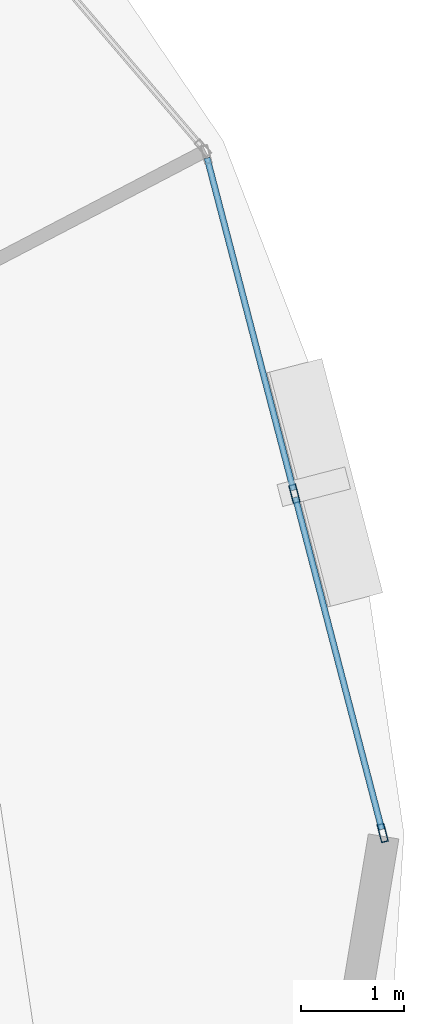
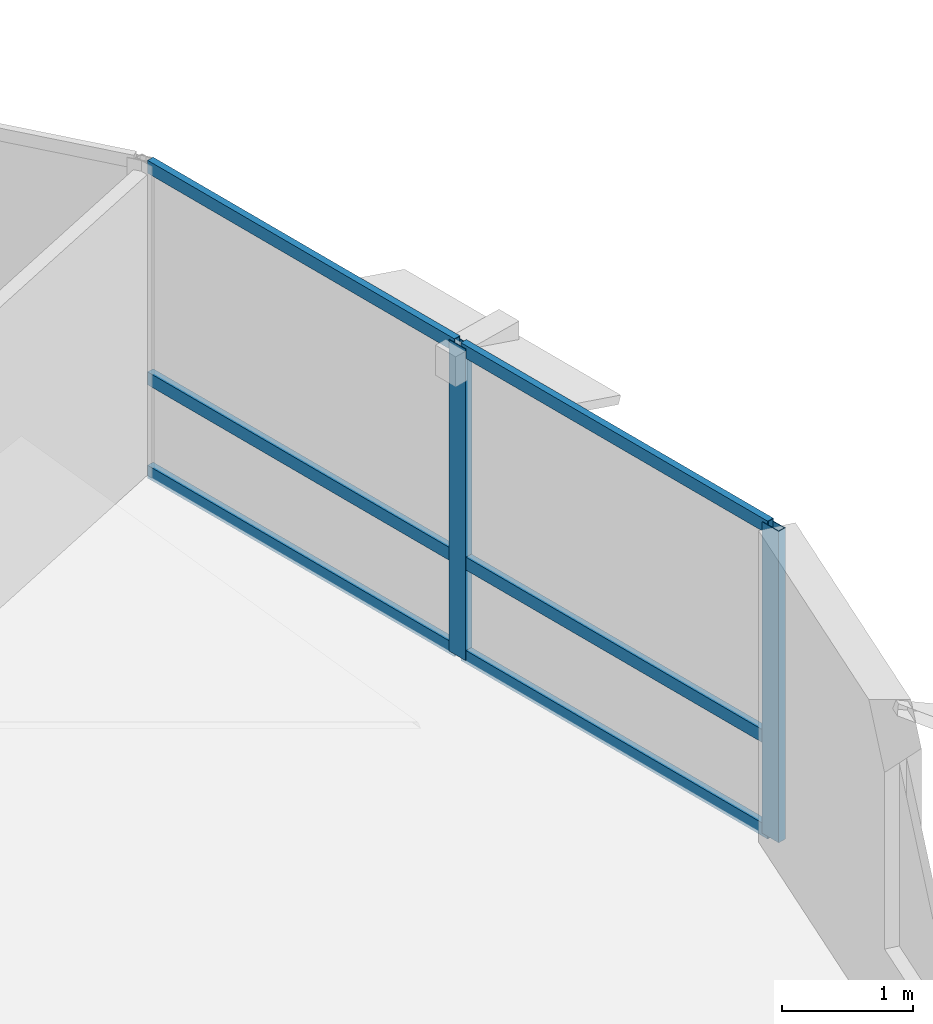
# One storey, part 6 of 14: 8 members, 1 element without a shape of its own.
"""IFC4 building model written with IfcOpenShell, lengths in metres."""

import ifcopenshell
import ifcopenshell.guid

model = None  # the IFC model being written
_history = None  # IfcOwnerHistory: only IFC2X3 demands one
_inside = {}  # id of a spatial element -> (the spatial element, [elements in it])
_under = {}  # id of a project, library or spatial element -> (it, [spatial elements below it])
_declared = {}  # id of a project -> (the project, [libraries it declares])
_typed = {}  # id of a type object -> (the type object, [elements of that type])
_made_of = {}  # id of a material, layer set ... -> (it, [elements and type objects made of it])


def new_model(schema):
    """Start an empty IFC model of exactly this schema.

    Asked for "IFC4X3", IfcOpenShell would pick the latest addendum, in which some entities
    have other attributes; the version numbers below select the first issue.
    IFC2X3 requires an IfcOwnerHistory on every rooted entity: one is made here for all.
    """
    global model, _history
    if schema == "IFC4X3":
        model = ifcopenshell.file(schema_version=(4, 3, 0, 0))
    else:
        model = ifcopenshell.file(schema=schema)
    _inside.clear()
    _under.clear()
    _declared.clear()
    _typed.clear()
    _made_of.clear()
    _history = None
    if model.schema == "IFC2X3":
        org = make("IfcOrganization", Name="unknown")
        user = make(
            "IfcPersonAndOrganization",
            ThePerson=make("IfcPerson", FamilyName="unknown"),
            TheOrganization=org,
        )
        app = make(
            "IfcApplication",
            ApplicationDeveloper=org,
            Version="unknown",
            ApplicationFullName="unknown",
            ApplicationIdentifier="unknown",
        )
        _history = make(
            "IfcOwnerHistory",
            OwningUser=user,
            OwningApplication=app,
            ChangeAction="ADDED",
            CreationDate=0,
        )
    return model


def make(cls, **values):
    """One entity of the class cls with the attributes given. An attribute that is None is left unset."""
    return model.create_entity(
        cls, **{name: value for name, value in values.items() if value is not None}
    )


def rooted(cls, **values):
    """An entity with a GlobalId (a new one), such as an element, a storey or a relation."""
    return make(cls, GlobalId=ifcopenshell.guid.new(), OwnerHistory=_history, **values)


def si_unit(unit_type, name, prefix=None):
    """IfcSIUnit, for example si_unit("LENGTHUNIT", "METRE", prefix="MILLI")."""
    return make("IfcSIUnit", UnitType=unit_type, Prefix=prefix, Name=name)


def assignment(units):
    """IfcUnitAssignment: the units of a project."""
    return None if units is None else make("IfcUnitAssignment", Units=units)


def point(xyz):
    """IfcCartesianPoint."""
    return None if xyz is None else make("IfcCartesianPoint", Coordinates=xyz)


def direction(xyz):
    """IfcDirection."""
    return None if xyz is None else make("IfcDirection", DirectionRatios=xyz)


def frame(location, z_axis=None, x_axis=None):
    """IfcAxis2Placement3D, a coordinate frame: its origin and axes. An axis left out is left unset."""
    return make(
        "IfcAxis2Placement3D",
        Location=point(location),
        Axis=direction(z_axis),
        RefDirection=direction(x_axis),
    )


def frame_2d(location, x_axis=None):
    """IfcAxis2Placement2D, a coordinate frame in the plane: its origin and x axis."""
    return make(
        "IfcAxis2Placement2D", Location=point(location), RefDirection=direction(x_axis)
    )


def origin():
    """The frame at (0, 0, 0) with its axes left unset."""
    return frame((0.0, 0.0, 0.0))


def origin_2d():
    """The frame at (0, 0) in the plane with its x axis left unset."""
    return frame_2d((0.0, 0.0))


def place(relative_to, where):
    """IfcLocalPlacement: puts the frame where relative to a parent placement (None: the world)."""
    return make(
        "IfcLocalPlacement", PlacementRelTo=relative_to, RelativePlacement=where
    )


def context(
    kind, dimensions, precision=None, world=None, true_north=None, identifier=None
):
    """IfcGeometricRepresentationContext, for example the 3D "Model" context."""
    return make(
        "IfcGeometricRepresentationContext",
        ContextIdentifier=identifier,
        ContextType=kind,
        CoordinateSpaceDimension=dimensions,
        Precision=precision,
        WorldCoordinateSystem=world,
        TrueNorth=true_north,
    )


def subcontext(parent, identifier, kind, view, scale=None):
    """IfcGeometricRepresentationSubContext, for example "Body" below "Model"."""
    return make(
        "IfcGeometricRepresentationSubContext",
        ContextIdentifier=identifier,
        ContextType=kind,
        ParentContext=parent,
        TargetScale=scale,
        TargetView=view,
    )


def project(units=None, contexts=None):
    """IfcProject with its units and contexts."""
    return rooted(
        "IfcProject",
        Name="project",
        RepresentationContexts=contexts,
        UnitsInContext=assignment(units),
    )


def spatial(cls, under=None, at=None, **own):
    """A site, building, storey or space (cls), placed at a placement, below another one or the project."""
    s = rooted(cls, ObjectPlacement=at, **own)
    if under is not None:
        _under.setdefault(under.id(), (under, []))[1].append(s)
    return s


def profile(cls, at=None, kind="AREA", **sizes):
    """A parametric profile (cls). Its sizes go by their IFC names, for example OverallWidth=200.0."""
    return make(cls, ProfileType=kind, Position=at, **sizes)


def hollow_rectangle(**sizes):
    """IfcRectangleHollowProfileDef."""
    return profile("IfcRectangleHollowProfileDef", **sizes)


def extrude(swept, where, along, depth):
    """IfcExtrudedAreaSolid: the profile swept, set in the frame where, extruded along a direction by depth."""
    return make(
        "IfcExtrudedAreaSolid",
        SweptArea=swept,
        Position=where,
        ExtrudedDirection=direction(along),
        Depth=depth,
    )


def shape(context_of_items, identifier, shape_type, items):
    """IfcShapeRepresentation: the items that make up one representation, for example the "Body"."""
    return make(
        "IfcShapeRepresentation",
        ContextOfItems=context_of_items,
        RepresentationIdentifier=identifier,
        RepresentationType=shape_type,
        Items=items,
    )


def material(Name=None, Category=None):
    """IfcMaterial."""
    return make("IfcMaterial", Name=Name, Category=Category)


def layer(
    of_material, thickness, ventilated=None, Name=None, Category=None, Priority=None
):
    """IfcMaterialLayer: one layer of a wall or slab, of a material (None: an air gap)."""
    return make(
        "IfcMaterialLayer",
        Material=of_material,
        LayerThickness=thickness,
        IsVentilated=ventilated,
        Name=Name,
        Category=Category,
        Priority=Priority,
    )


def layer_set(layers, Name=None):
    """IfcMaterialLayerSet."""
    return make("IfcMaterialLayerSet", MaterialLayers=layers, LayerSetName=Name)


def material_profile(
    of_material, cross_section, Name=None, Category=None, Priority=None
):
    """IfcMaterialProfile: a cross section and its material."""
    return make(
        "IfcMaterialProfile",
        Name=Name,
        Material=of_material,
        Profile=cross_section,
        Priority=Priority,
        Category=Category,
    )


def profile_set(profiles, Name=None, composite=None):
    """IfcMaterialProfileSet."""
    return make(
        "IfcMaterialProfileSet",
        Name=Name,
        MaterialProfiles=profiles,
        CompositeProfile=composite,
    )


def made_of(thing, what):
    """Note that an element or type object is made of a material, layer set ...; save() writes the relation."""
    if what is not None:
        _made_of.setdefault(what.id(), (what, []))[1].append(thing)
    return thing


def type_object(cls, material=None, **own):
    """A type object (cls), such as IfcWallType, which elements share."""
    return made_of(rooted(cls, **own), material)


def element(
    cls,
    number,
    at=None,
    inside=None,
    cuts=None,
    type_object=None,
    material=None,
    context=None,
    identifier="Body",
    shape_type=None,
    held_by="IfcProductDefinitionShape",
    body=None,
    shapes=None,
    **own,
):
    """One element of the class cls, such as IfcWall. Its Tag is "e" and its number.

    at: its placement. inside: the storey or other place that contains it. cuts: it is an
    opening in that element (IfcRelVoidsElement). A single representation is given by context,
    identifier, shape_type and body (its items); several are given by shapes. held_by: the class
    of the entity that holds the representations. save() writes the other relations.
    """
    e = rooted(cls, Tag="e%d" % number, ObjectPlacement=at, **own)
    if body is not None:
        shapes = [shape(context, identifier, shape_type, body)]
    if shapes is not None:
        e.Representation = make(held_by, Representations=shapes)
    if inside is not None:
        _inside.setdefault(inside.id(), (inside, []))[1].append(e)
    if cuts is not None:
        rooted(
            "IfcRelVoidsElement", RelatingBuildingElement=cuts, RelatedOpeningElement=e
        )
    if type_object is not None:
        _typed.setdefault(type_object.id(), (type_object, []))[1].append(e)
    return made_of(e, material)


def aggregate(whole, parts):
    """IfcRelAggregates: a whole, such as a stair, and the parts it consists of."""
    return rooted("IfcRelAggregates", RelatingObject=whole, RelatedObjects=parts)


def save(model, path):
    """Write the relations noted so far, then the file.

    IfcRelAggregates (storeys below a building ...), IfcRelContainedInSpatialStructure (elements
    in a storey), IfcRelDefinesByType, IfcRelAssociatesMaterial and IfcRelDeclares: one each for
    every whole, place, type object, material and project.
    """
    for whole, parts in _under.values():
        aggregate(whole, parts)
    for where, things in _inside.values():
        rooted(
            "IfcRelContainedInSpatialStructure",
            RelatedElements=things,
            RelatingStructure=where,
        )
    for kind, things in _typed.values():
        rooted("IfcRelDefinesByType", RelatedObjects=things, RelatingType=kind)
    for what, things in _made_of.values():
        rooted("IfcRelAssociatesMaterial", RelatedObjects=things, RelatingMaterial=what)
    for by, libraries in _declared.values():
        rooted("IfcRelDeclares", RelatingContext=by, RelatedDefinitions=libraries)
    model.write(path)


model = new_model("IFC4")

# Units and contexts
model_context = context("Model", 3, precision=1e-05, world=origin(), true_north=direction((0.0, 1.0)))
body_context = subcontext(model_context, "Body", "Model", "MODEL_VIEW")
ifc_project = project(units=[si_unit("LENGTHUNIT", "METRE"), si_unit("AREAUNIT", "SQUARE_METRE"), si_unit("VOLUMEUNIT", "CUBIC_METRE"), si_unit("PLANEANGLEUNIT", "RADIAN"), si_unit("MASSUNIT", "GRAM", prefix="KILO"), si_unit("THERMODYNAMICTEMPERATUREUNIT", "KELVIN"), si_unit("POWERUNIT", "WATT")], contexts=[model_context])

# Site, building, storey
site_placement = place(None, origin())
site = spatial("IfcSite", under=ifc_project, at=site_placement, CompositionType="ELEMENT")
building_placement = place(site_placement, origin())
building = spatial("IfcBuilding", under=site, at=building_placement, Name="Ocrelia Relay Tower", CompositionType="ELEMENT")
storey_placement = place(building_placement, frame((0.0, 0.0, 149.800048828125)))
storey = spatial("IfcBuildingStorey", under=building, at=storey_placement, Name="L35", CompositionType="ELEMENT", Elevation=149.800048828125)

# Curtain wall, members
ifc_material_1 = material(Name="Aluminium and solar-control low-E glass", Category="aluminium")
ifc_layer = layer(ifc_material_1, 0.179931640625, Name="Aluminium and solar-control low-E glass")
ifc_layer_set = layer_set([ifc_layer], Name="Aluminium and solar-control low-E glass")
curtain_wall_type = type_object("IfcCurtainWallType", Name="CW-SYS-Z2-SWIT", PredefinedType="NOTDEFINED", material=ifc_layer_set)
curtain_wall_placement = place(storey_placement, origin())
curtain_wall = element("IfcCurtainWall", 1, at=curtain_wall_placement, inside=storey, type_object=curtain_wall_type, Name="L35 Elliptical Tower Curtain Wall Bay 18", PredefinedType="NOTDEFINED")
ifc_material_2 = material(Name="Anodised bronze aluminium", Category="aluminium")
ifc_material_profile_1 = material_profile(ifc_material_2, hollow_rectangle(XDim=0.070068359375, YDim=0.179931640625, WallThickness=0.006103515625, at=origin_2d()), Name="CW-MUL-180x70")
ifc_profile_set_1 = profile_set([ifc_material_profile_1], Name="Anodised bronze aluminium")
member_type_1 = type_object("IfcMemberType", Name="CW-SYS-Z2-SWIT-MUL", PredefinedType="MULLION", material=ifc_profile_set_1)
member_1_placement = place(storey_placement, frame((58.420166015625, 31.216796875, 0.0), z_axis=(0.0, 0.0, 1.0), x_axis=(-0.967796870511, -0.251732432216, 0.0)))
member_1 = element("IfcMember", 2, at=member_1_placement, type_object=member_type_1, Name="CW-Z2 mullion 1", PredefinedType="MULLION", context=body_context, shape_type="SweptSolid", body=[
    extrude(hollow_rectangle(XDim=0.070068359375, YDim=0.179931640625, WallThickness=0.006103515625, at=origin_2d()), origin(), (0.0, 0.0, 1.0), 2.89990234375),
])
member_2_placement = place(storey_placement, frame((57.56298828125, 34.51171875, 0.0), z_axis=(0.0, 0.0, 1.0), x_axis=(-0.967796870511, -0.251732432216, 0.0)))
member_2 = element("IfcMember", 3, at=member_2_placement, type_object=member_type_1, Name="CW-Z2 mullion 2", PredefinedType="MULLION", context=body_context, shape_type="SweptSolid", body=[
    extrude(hollow_rectangle(XDim=0.070068359375, YDim=0.179931640625, WallThickness=0.006103515625, at=origin_2d()), origin(), (0.0, 0.0, 1.0), 2.89990234375),
])
ifc_material_profile_2 = material_profile(ifc_material_2, hollow_rectangle(XDim=0.06005859375, YDim=0.1201171875, WallThickness=0.0048828125, at=origin_2d()), Name="CW-TRN-120x60")
ifc_profile_set_2 = profile_set([ifc_material_profile_2], Name="Anodised bronze aluminium")
member_type_2 = type_object("IfcMemberType", Name="CW-SYS-Z2-SWIT-TRN", PredefinedType="USERDEFINED", material=ifc_profile_set_2)
member_3_placement = place(storey_placement, frame((58.411376953125, 31.250732421875, 0.030029296875), z_axis=(-0.251775115616, 0.96778576718, 0.0), x_axis=(-0.96778576718, -0.251775115616, 0.0)))
member_3 = element("IfcMember", 4, at=member_3_placement, type_object=member_type_2, Name="CW-Z2 transom 1.1", ObjectType="TRANSOM", PredefinedType="USERDEFINED", context=body_context, shape_type="SweptSolid", body=[
    extrude(hollow_rectangle(XDim=0.06005859375, YDim=0.1201171875, WallThickness=0.0048828125, at=origin_2d()), origin(), (0.0, 0.0, 1.0), 3.334716796875),
])
member_4_placement = place(storey_placement, frame((58.411376953125, 31.250732421875, 0.89990234375), z_axis=(-0.251775115616, 0.96778576718, 0.0), x_axis=(-0.96778576718, -0.251775115616, 0.0)))
member_4 = element("IfcMember", 5, at=member_4_placement, type_object=member_type_2, Name="CW-Z2 transom 1.2", ObjectType="TRANSOM", PredefinedType="USERDEFINED", context=body_context, shape_type="SweptSolid", body=[
    extrude(hollow_rectangle(XDim=0.06005859375, YDim=0.1201171875, WallThickness=0.0048828125, at=origin_2d()), origin(), (0.0, 0.0, 1.0), 3.334716796875),
])
member_5_placement = place(storey_placement, frame((58.411376953125, 31.250732421875, 2.869873046875), z_axis=(-0.251775115616, 0.96778576718, 0.0), x_axis=(-0.96778576718, -0.251775115616, 0.0)))
member_5 = element("IfcMember", 6, at=member_5_placement, type_object=member_type_2, Name="CW-Z2 transom 1.3", ObjectType="TRANSOM", PredefinedType="USERDEFINED", context=body_context, shape_type="SweptSolid", body=[
    extrude(hollow_rectangle(XDim=0.06005859375, YDim=0.1201171875, WallThickness=0.0048828125, at=origin_2d()), origin(), (0.0, 0.0, 1.0), 3.334716796875),
])
member_6_placement = place(storey_placement, frame((57.55419921875, 34.545654296875, 0.030029296875), z_axis=(-0.25170654294, 0.967803604168, 0.0), x_axis=(-0.967803604168, -0.25170654294, 0.0)))
member_6 = element("IfcMember", 7, at=member_6_placement, type_object=member_type_2, Name="CW-Z2 transom 2.1", ObjectType="TRANSOM", PredefinedType="USERDEFINED", context=body_context, shape_type="SweptSolid", body=[
    extrude(hollow_rectangle(XDim=0.06005859375, YDim=0.1201171875, WallThickness=0.0048828125, at=origin_2d()), origin(), (0.0, 0.0, 1.0), 3.334716796875),
])
member_7_placement = place(storey_placement, frame((57.55419921875, 34.545654296875, 0.89990234375), z_axis=(-0.25170654294, 0.967803604168, 0.0), x_axis=(-0.967803604168, -0.25170654294, 0.0)))
member_7 = element("IfcMember", 8, at=member_7_placement, type_object=member_type_2, Name="CW-Z2 transom 2.2", ObjectType="TRANSOM", PredefinedType="USERDEFINED", context=body_context, shape_type="SweptSolid", body=[
    extrude(hollow_rectangle(XDim=0.06005859375, YDim=0.1201171875, WallThickness=0.0048828125, at=origin_2d()), origin(), (0.0, 0.0, 1.0), 3.334716796875),
])
member_8_placement = place(storey_placement, frame((57.55419921875, 34.545654296875, 2.869873046875), z_axis=(-0.25170654294, 0.967803604168, 0.0), x_axis=(-0.967803604168, -0.25170654294, 0.0)))
member_8 = element("IfcMember", 9, at=member_8_placement, type_object=member_type_2, Name="CW-Z2 transom 2.3", ObjectType="TRANSOM", PredefinedType="USERDEFINED", context=body_context, shape_type="SweptSolid", body=[
    extrude(hollow_rectangle(XDim=0.06005859375, YDim=0.1201171875, WallThickness=0.0048828125, at=origin_2d()), origin(), (0.0, 0.0, 1.0), 3.334716796875),
])
aggregate(curtain_wall, [member_1, member_2, member_3, member_4, member_5, member_6, member_7, member_8])

save(model, "model.ifc")
